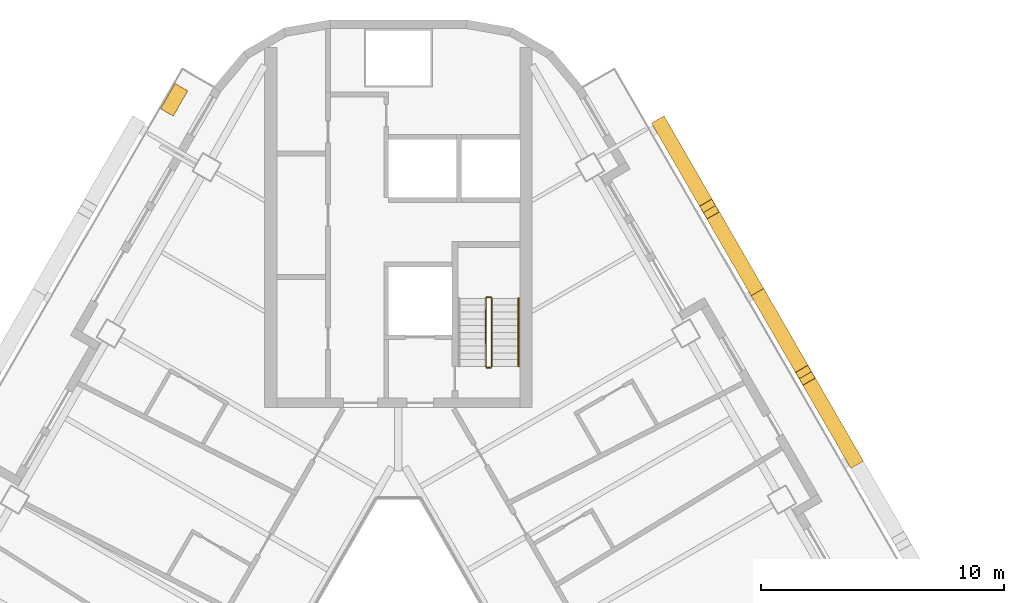
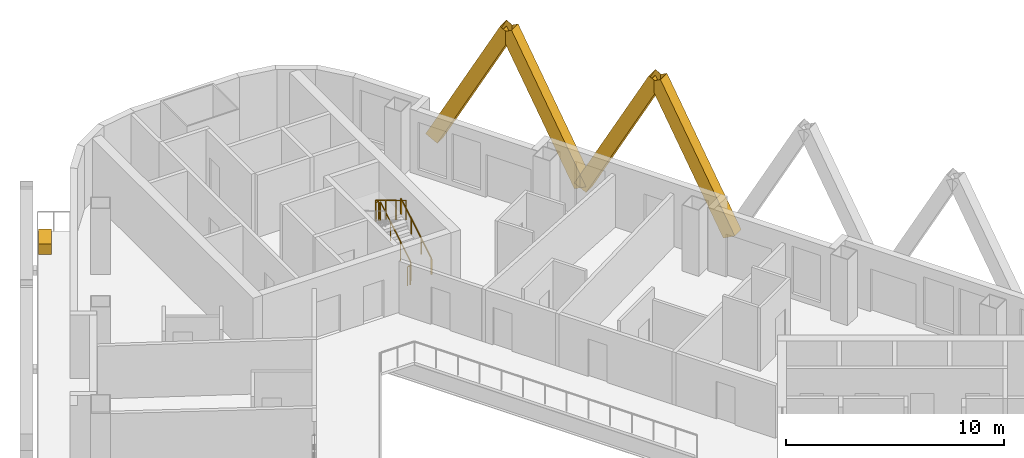
# One storey, part 14 of 14: 5 railings, 4 shading devices, 1 covering.
"""IFC4 building model written with IfcOpenShell, lengths in metres."""

from ifc_helpers import new_model, si_unit, direction, frame, origin, origin_2d, place, context, subcontext, project, spatial, rectangle, hollow_rectangle, circle, extrude, material, material_profile, profile_set, type_object, element, save


model = new_model("IFC4")

# Units and contexts
model_context = context("Model", 3, precision=1e-05, world=origin(), true_north=direction((0.0, 1.0)))
body_context = subcontext(model_context, "Body", "Model", "MODEL_VIEW")
ifc_project = project(units=[si_unit("LENGTHUNIT", "METRE"), si_unit("AREAUNIT", "SQUARE_METRE"), si_unit("VOLUMEUNIT", "CUBIC_METRE"), si_unit("PLANEANGLEUNIT", "RADIAN"), si_unit("MASSUNIT", "GRAM", prefix="KILO")], contexts=[model_context])

# Site, building, storey
site_placement = place(None, origin())
site = spatial("IfcSite", under=ifc_project, at=site_placement, CompositionType="ELEMENT")
building_placement = place(site_placement, origin())
building = spatial("IfcBuilding", under=site, at=building_placement, Name="Apuvela Tower Hotel", CompositionType="ELEMENT")
storey_placement = place(building_placement, frame((0.0, 0.0, 90.89990234375)))
storey = spatial("IfcBuildingStorey", under=building, at=storey_placement, Name="L20", CompositionType="ELEMENT", Elevation=90.89990234375)

# Railings
ifc_material_1 = material(Name="Steel S275 balustrade", Category="steel")
railing_type_1 = type_object("IfcRailingType", Name="COR-GUARD-1100", PredefinedType="GUARDRAIL", material=ifc_material_1)
railing_1_placement = place(storey_placement, frame((3.85009765625, 14.60009765625, 0.168212890625)))
element("IfcRailing", 1, at=railing_1_placement, inside=storey, type_object=railing_type_1, Name="L20 ST1 stair guard 1", PredefinedType="GUARDRAIL", context=body_context, shape_type="SweptSolid", body=[
    extrude(rectangle(XDim=0.048095703125, YDim=0.048095703125, at=origin_2d()), frame((0.0, 0.0, 1.076171875), z_axis=(0.0, 0.857222391501, 0.514946377315), x_axis=(-1.0, 0.0, 0.0)), (0.0, 0.0, 1.0), 3.26611328125),
    extrude(rectangle(XDim=0.0419921875, YDim=0.0419921875, at=origin_2d()), origin(), (0.0, 0.0, 1.0), 1.052001953125),
    extrude(rectangle(XDim=0.0419921875, YDim=0.0419921875, at=origin_2d()), frame((0.0, 0.933349609375, 0.560546875)), (0.0, 0.0, 1.0), 1.052001953125),
    extrude(rectangle(XDim=0.0419921875, YDim=0.0419921875, at=origin_2d()), frame((0.0, 1.866455078125, 1.121337890625)), (0.0, 0.0, 1.0), 1.052001953125),
    extrude(rectangle(XDim=0.0419921875, YDim=0.0419921875, at=origin_2d()), frame((0.0, 2.7998046875, 1.681884765625)), (0.0, 0.0, 1.0), 1.052001953125),
])
railing_2_placement = place(storey_placement, frame((3.800048828125, 17.449951171875, 1.85009765625)))
element("IfcRailing", 2, at=railing_2_placement, inside=storey, type_object=railing_type_1, Name="L20 ST1 stair guard 2", PredefinedType="GUARDRAIL", context=body_context, shape_type="SweptSolid", body=[
    extrude(rectangle(XDim=0.048095703125, YDim=0.048095703125, at=origin_2d()), frame((0.0, 0.0, 1.076171875), z_axis=(-1.0, 0.0, 0.0), x_axis=(0.0, -1.0, 0.0)), (0.0, 0.0, 1.0), 0.150146484375),
    extrude(rectangle(XDim=0.0419921875, YDim=0.0419921875, at=origin_2d()), origin(), (0.0, 0.0, 1.0), 1.052001953125),
    extrude(rectangle(XDim=0.0419921875, YDim=0.0419921875, at=origin_2d()), frame((-0.150146484375, 0.0, 0.0)), (0.0, 0.0, 1.0), 1.052001953125),
])
railing_3_placement = place(storey_placement, frame((3.60009765625, 17.39990234375, 2.018310546875)))
element("IfcRailing", 3, at=railing_3_placement, inside=storey, type_object=railing_type_1, Name="L20 ST1 stair guard 3", PredefinedType="GUARDRAIL", context=body_context, shape_type="SweptSolid", body=[
    extrude(rectangle(XDim=0.048095703125, YDim=0.048095703125, at=origin_2d()), frame((0.0, 0.0, 1.076171875), z_axis=(0.0, -0.857222391501, 0.514946377315), x_axis=(1.0, 0.0, 0.0)), (0.0, 0.0, 1.0), 3.26611328125),
    extrude(rectangle(XDim=0.0419921875, YDim=0.0419921875, at=origin_2d()), origin(), (0.0, 0.0, 1.0), 1.052001953125),
    extrude(rectangle(XDim=0.0419921875, YDim=0.0419921875, at=origin_2d()), frame((0.0, -0.933349609375, 0.560546875)), (0.0, 0.0, 1.0), 1.052001953125),
    extrude(rectangle(XDim=0.0419921875, YDim=0.0419921875, at=origin_2d()), frame((0.0, -1.866455078125, 1.121337890625)), (0.0, 0.0, 1.0), 1.052001953125),
    extrude(rectangle(XDim=0.0419921875, YDim=0.0419921875, at=origin_2d()), frame((0.0, -2.7998046875, 1.681884765625)), (0.0, 0.0, 1.0), 1.052001953125),
])
railing_4_placement = place(storey_placement, frame((3.800048828125, 14.550048828125, 0.0)))
element("IfcRailing", 4, at=railing_4_placement, inside=storey, type_object=railing_type_1, Name="L20 ST1 stair guard 4", PredefinedType="GUARDRAIL", context=body_context, shape_type="SweptSolid", body=[
    extrude(rectangle(XDim=0.048095703125, YDim=0.048095703125, at=origin_2d()), frame((0.0, 0.0, 1.076171875), z_axis=(-1.0, 0.0, 0.0), x_axis=(0.0, -1.0, 0.0)), (0.0, 0.0, 1.0), 0.150146484375),
    extrude(rectangle(XDim=0.0419921875, YDim=0.0419921875, at=origin_2d()), origin(), (0.0, 0.0, 1.0), 1.052001953125),
    extrude(rectangle(XDim=0.0419921875, YDim=0.0419921875, at=origin_2d()), frame((-0.150146484375, 0.0, 0.0)), (0.0, 0.0, 1.0), 1.052001953125),
])
ifc_material_2 = material(Name="Stainless steel 316 handrail", Category="steel")
railing_type_2 = type_object("IfcRailingType", Name="COR-HANDRAIL-900", PredefinedType="HANDRAIL", material=ifc_material_2)
railing_5_placement = place(storey_placement, frame((4.949951171875, 14.60009765625, 0.168212890625)))
element("IfcRailing", 5, at=railing_5_placement, inside=storey, type_object=railing_type_2, Name="L20 ST1 stair handrail 1", PredefinedType="HANDRAIL", context=body_context, shape_type="SweptSolid", body=[
    extrude(circle(Radius=0.02392578125, at=origin_2d()), frame((0.0, 0.0, 0.8759765625), z_axis=(0.0, 0.857222391501, 0.514946377315), x_axis=(-1.0, 0.0, 0.0)), (0.0, 0.0, 1.0), 3.26611328125),
    extrude(rectangle(XDim=0.0419921875, YDim=0.0419921875, at=origin_2d()), origin(), (0.0, 0.0, 1.0), 0.851806640625),
    extrude(rectangle(XDim=0.0419921875, YDim=0.0419921875, at=origin_2d()), frame((0.0, 0.933349609375, 0.560546875)), (0.0, 0.0, 1.0), 0.851806640625),
    extrude(rectangle(XDim=0.0419921875, YDim=0.0419921875, at=origin_2d()), frame((0.0, 1.866455078125, 1.121337890625)), (0.0, 0.0, 1.0), 0.851806640625),
    extrude(rectangle(XDim=0.0419921875, YDim=0.0419921875, at=origin_2d()), frame((0.0, 2.7998046875, 1.681884765625)), (0.0, 0.0, 1.0), 0.851806640625),
])

# Shading devices
ifc_material_3 = material(Name="Aluminium 6063-T6, black anodised", Category="aluminium")
ifc_material_profile = material_profile(ifc_material_3, hollow_rectangle(XDim=0.60009765625, YDim=0.699951171875, WallThickness=0.011962890625, at=origin_2d()), Name="AL BOX 700x600x12")
ifc_profile_set = profile_set([ifc_material_profile], Name="Aluminium 6063-T6, black anodised")
shading_device_type = type_object("IfcShadingDeviceType", Name="ENV-FIN-700x600", PredefinedType="USERDEFINED", material=ifc_profile_set)
for number, where, z_axis, x_axis, name in (
    (6, (18.732177734375, 10.81494140625, -0.099853515625), (-0.235461085354, 0.407822092458, 0.882178677019), (-0.866020906874, -0.500007788796, 0.0), "Lattice fin NE197"),
    (7, (14.781982421875, 17.656494140625, -0.099853515625), (0.235463880167, -0.407797827568, 0.882189148067), (0.866005453737, 0.500034552904, 0.0), "Lattice fin NE198"),
    (8, (14.781982421875, 17.656494140625, -0.099853515625), (-0.235433593518, 0.407824887177, 0.882184722404), (-0.866047669374, -0.499961432884, 0.0), "Lattice fin NE199"),
    (9, (10.83203125, 24.498291015625, -0.099853515625), (0.235461085354, -0.407822092458, 0.882178677019), (0.866020906874, 0.500007788796, 0.0), "Lattice fin NE200"),
):
    element("IfcShadingDevice", number, at=place(storey_placement, frame(where, z_axis=z_axis, x_axis=x_axis)), inside=storey, type_object=shading_device_type, Name=name, ObjectType="FIN", PredefinedType="USERDEFINED", context=body_context, shape_type="SweptSolid", body=[
        extrude(hollow_rectangle(XDim=0.60009765625, YDim=0.699951171875, WallThickness=0.011962890625, at=origin_2d()), origin(), (0.0, 0.0, 1.0), 8.38818359375),
    ])

# Covering
ifc_material_4 = material(Name="Planting substrate and soil, planted")
covering_type = type_object("IfcCoveringType", Name="ENV-PLANTER-1200x600", PredefinedType="USERDEFINED", material=ifc_material_4)
covering_placement = place(storey_placement, frame((-9.228515625, 25.57568359375, 0.0), z_axis=(0.0, 0.0, 1.0), x_axis=(-0.5, -0.866025403784, 0.0)))
element("IfcCovering", 10, at=covering_placement, inside=storey, type_object=covering_type, Name="Planter NW3", ObjectType="PLANTER", PredefinedType="USERDEFINED", context=body_context, shape_type="SweptSolid", body=[
    extrude(rectangle(XDim=1.199951171875, YDim=0.60009765625, at=origin_2d()), origin(), (0.0, 0.0, 1.0), 0.60009765625),
])

save(model, "model.ifc")
